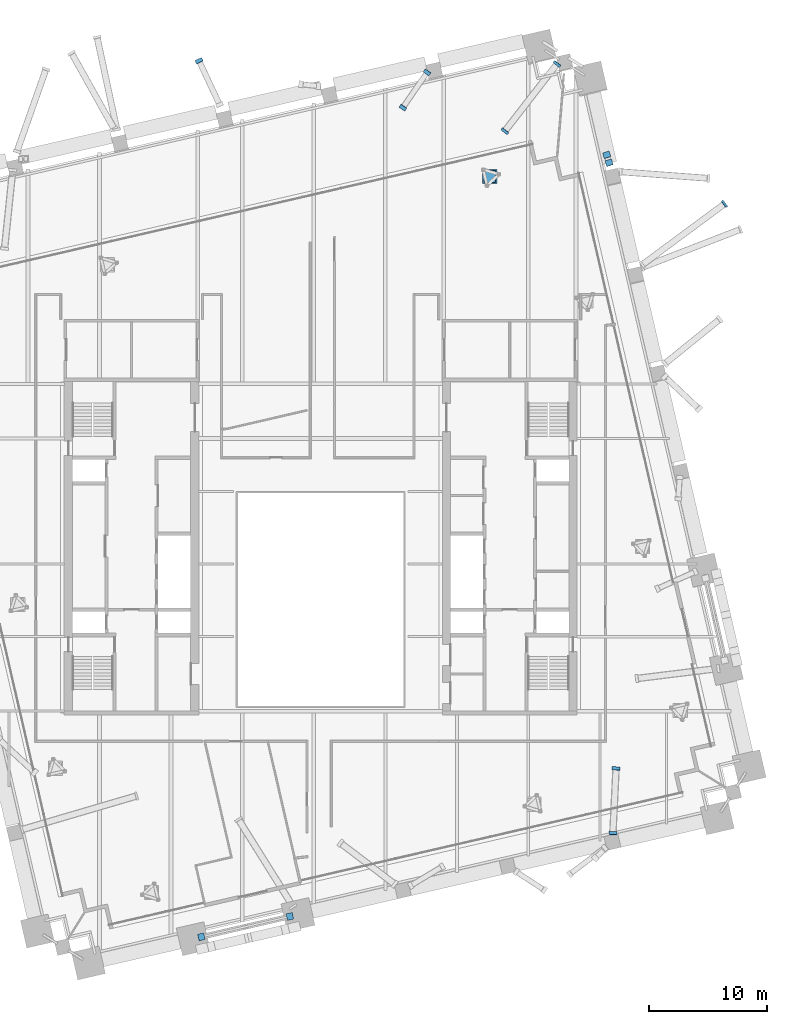
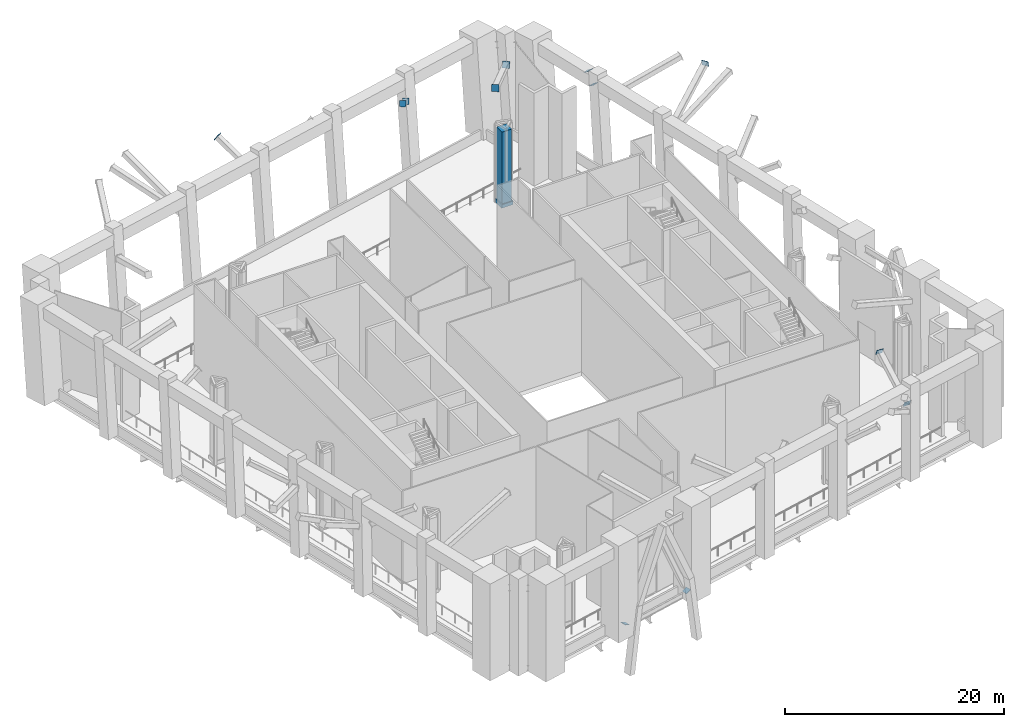
# One storey, part 22 of 25: 14 discrete accessories.
"""IFC4 building model written with IfcOpenShell, lengths in metres."""

from ifc_helpers import new_model, si_unit, direction, frame, origin, origin_2d, place, context, subcontext, project, spatial, rectangle, extrude, material, material_profile, profile_set, type_object, element, save


model = new_model("IFC4")

# Units and contexts
model_context = context("Model", 3, precision=1e-05, world=origin(), true_north=direction((0.0, 1.0)))
body_context = subcontext(model_context, "Body", "Model", "MODEL_VIEW")
ifc_project = project(units=[si_unit("LENGTHUNIT", "METRE"), si_unit("AREAUNIT", "SQUARE_METRE"), si_unit("VOLUMEUNIT", "CUBIC_METRE"), si_unit("PLANEANGLEUNIT", "RADIAN"), si_unit("MASSUNIT", "GRAM", prefix="KILO")], contexts=[model_context])

# Site, building, storey
site_placement = place(None, origin())
site = spatial("IfcSite", under=ifc_project, at=site_placement, CompositionType="ELEMENT")
building_placement = place(site_placement, origin())
building = spatial("IfcBuilding", under=site, at=building_placement, Name="Ogive Exchange Tower", CompositionType="ELEMENT")
storey_placement = place(building_placement, frame((0.0, 0.0, 226.199951171875)))
storey = spatial("IfcBuildingStorey", under=building, at=storey_placement, Name="L50", CompositionType="ELEMENT", Elevation=226.199951171875)

# Discrete accessories
ifc_material = material(Name="Steel ASTM A572 Gr50", Category="steel")
ifc_material_profile_1 = material_profile(ifc_material, rectangle(XDim=0.576904296875, YDim=0.576904296875, at=origin_2d()), Name="PL 577 x 577 x 25")
ifc_profile_set_1 = profile_set([ifc_material_profile_1], Name="Steel ASTM A572 Gr50")
discrete_accessory_type_1 = type_object("IfcDiscreteAccessoryType", Name="Gusset plate 577 x 577 x 25", PredefinedType="USERDEFINED", material=ifc_profile_set_1)
for number, where, z_axis, x_axis, name in (
    (1, (-10.10107421875, -21.544921875, 0.66796875), (0.389692556427, 0.097423139107, 0.915777507603), (-0.242535625036, 0.970142500145, 0.0), "Belt truss diagonal 2a end plate A"),
    (2, (-2.597412109375, -19.8125, 0.66796875), (-0.390044406646, -0.087759991495, 0.916604355618), (0.219512195122, -0.975609756098, 0.0), "Belt truss diagonal 2b end plate A"),
):
    element("IfcDiscreteAccessory", number, at=place(storey_placement, frame(where, z_axis=z_axis, x_axis=x_axis)), inside=storey, type_object=discrete_accessory_type_1, Name=name, ObjectType="GUSSET PLATE", PredefinedType="USERDEFINED", context=body_context, shape_type="SweptSolid", body=[
        extrude(rectangle(XDim=0.576904296875, YDim=0.576904296875, at=origin_2d()), origin(), (0.0, 0.0, 1.0), 0.025146484375),
    ])
for number, where, z_axis, x_axis, name in (
    (3, (24.40478515625, 43.951171875, 9.0341796875), (-0.146601582771, 0.488671942571, 0.860062618925), (-0.957826285221, -0.287347885566, 0.0), "Block-change strut 17 end plate A"),
    (4, (24.201171875, 44.6142578125, 10.212646484375), (-0.156144011672, 0.487950036474, 0.858792064195), (-0.952424147199, -0.304775727104, 0.0), "Block-change strut 17 end plate B"),
    (5, (9.008544921875, 51.611328125, 7.898681640625), (-0.481457688777, -0.69762236537, 0.530586024366), (0.823025925643, -0.568003807838, 0.0), "Block-change strut 19 end plate A"),
    (6, (6.962890625, 48.62548828125, 10.142578125), (-0.478168266369, -0.702614595482, 0.526960946611), (0.826712879961, -0.562624043307, 0.0), "Block-change strut 19 end plate B"),
):
    element("IfcDiscreteAccessory", number, at=place(storey_placement, frame(where, z_axis=z_axis, x_axis=x_axis)), inside=storey, type_object=discrete_accessory_type_1, Name=name, ObjectType="GUSSET PLATE", PredefinedType="USERDEFINED", context=body_context, shape_type="SweptSolid", body=[
        extrude(rectangle(XDim=0.576904296875, YDim=0.576904296875, at=origin_2d()), origin(), (0.0, 0.0, 1.0), 0.02490234375),
    ])
ifc_material_profile_2 = material_profile(ifc_material, rectangle(XDim=0.6279296875, YDim=0.6279296875, at=origin_2d()), Name="PL 628 x 628 x 25")
ifc_profile_set_2 = profile_set([ifc_material_profile_2], Name="Steel ASTM A572 Gr50")
discrete_accessory_type_2 = type_object("IfcDiscreteAccessoryType", Name="Gusset plate 628 x 628 x 25", PredefinedType="USERDEFINED", material=ifc_profile_set_2)
discrete_accessory_1_placement = place(storey_placement, frame((-10.2861328125, 52.570068359375, 10.117919921875), z_axis=(-0.371817113019, 0.782772869514, 0.499017704315), x_axis=(-0.903277504354, -0.429056814568, 0.0)))
element("IfcDiscreteAccessory", 7, at=discrete_accessory_1_placement, inside=storey, type_object=discrete_accessory_type_2, Name="Block-change strut 21 end plate B", ObjectType="GUSSET PLATE", PredefinedType="USERDEFINED", context=body_context, shape_type="SweptSolid", body=[
    extrude(rectangle(XDim=0.6279296875, YDim=0.6279296875, at=origin_2d()), origin(), (0.0, 0.0, 1.0), 0.02490234375),
])
ifc_material_profile_3 = material_profile(ifc_material, rectangle(XDim=0.678955078125, YDim=0.678955078125, at=origin_2d()), Name="PL 679 x 679 x 25")
ifc_profile_set_3 = profile_set([ifc_material_profile_3], Name="Steel ASTM A572 Gr50")
discrete_accessory_type_3 = type_object("IfcDiscreteAccessoryType", Name="Gusset plate 679 x 679 x 25", PredefinedType="USERDEFINED", material=ifc_profile_set_3)
discrete_accessory_2_placement = place(storey_placement, frame((24.720947265625, -12.77392578125, 7.69384765625), z_axis=(0.039325454831, 0.914316824814, 0.403085912015), x_axis=(-0.999076318935, 0.04297102447, 0.0)))
element("IfcDiscreteAccessory", 8, at=discrete_accessory_2_placement, inside=storey, type_object=discrete_accessory_type_3, Name="Block-change strut 9 end plate A", ObjectType="GUSSET PLATE", PredefinedType="USERDEFINED", context=body_context, shape_type="SweptSolid", body=[
    extrude(rectangle(XDim=0.678955078125, YDim=0.678955078125, at=origin_2d()), origin(), (0.0, 0.0, 1.0), 0.02490234375),
])
discrete_accessory_3_placement = place(storey_placement, frame((24.989501953125, -7.305419921875, 10.083740234375), z_axis=(0.048697705438, 0.915516862228, 0.399321184589), x_axis=(-0.998588327595, 0.053116400404, 0.0)))
element("IfcDiscreteAccessory", 9, at=discrete_accessory_3_placement, inside=storey, type_object=discrete_accessory_type_3, Name="Block-change strut 9 end plate B", ObjectType="GUSSET PLATE", PredefinedType="USERDEFINED", context=body_context, shape_type="SweptSolid", body=[
    extrude(rectangle(XDim=0.678955078125, YDim=0.678955078125, at=origin_2d()), origin(), (0.0, 0.0, 1.0), 0.025146484375),
])
for number, where, z_axis, x_axis, name in (
    (10, (20.0, 52.32421875, 7.684814453125), (-0.588348405415, -0.745241313525, 0.313785816221), (0.784882765533, -0.619644288579, 0.0), "Block-change strut 18 end plate A"),
    (11, (15.588623046875, 46.635986328125, 10.076904296875), (-0.575808463143, -0.751478841729, 0.322062360741), (0.793772252569, -0.608215102618, 0.0), "Block-change strut 18 end plate B"),
    (12, (34.150146484375, 40.46240234375, 10.073974609375), (0.772766287531, 0.577129252713, 0.264109997004), (-0.59837605097, 0.801215390282, 0.0), "Block-change strut 32 end plate B"),
):
    element("IfcDiscreteAccessory", number, at=place(storey_placement, frame(where, z_axis=z_axis, x_axis=x_axis)), inside=storey, type_object=discrete_accessory_type_3, Name=name, ObjectType="GUSSET PLATE", PredefinedType="USERDEFINED", context=body_context, shape_type="SweptSolid", body=[
        extrude(rectangle(XDim=0.678955078125, YDim=0.678955078125, at=origin_2d()), origin(), (0.0, 0.0, 1.0), 0.02490234375),
    ])
discrete_accessory_4_placement = place(storey_placement, frame((14.302001953125, 42.793701171875, 0.0), z_axis=(0.0, 0.0, 1.0), x_axis=(1.0, 0.0, 0.0)))
element("IfcDiscreteAccessory", 13, at=discrete_accessory_4_placement, inside=storey, Name="Turbine mount 6", ObjectType="TURBINE MOUNT", PredefinedType="USERDEFINED", context=body_context, shape_type="SweptSolid", body=[
    extrude(rectangle(XDim=1.199951171875, YDim=1.199951171875, at=origin_2d()), origin(), (0.0, 0.0, 1.0), 0.39990234375),
])
discrete_accessory_5_placement = place(storey_placement, frame((14.302001953125, 42.793701171875, 0.400146484375), z_axis=(0.0, 0.0, 1.0), x_axis=(1.0, 0.0, 0.0)))
element("IfcDiscreteAccessory", 14, at=discrete_accessory_5_placement, inside=storey, Name="WIND TURBINE 6", ObjectType="WIND TURBINE", PredefinedType="USERDEFINED", context=body_context, shape_type="SweptSolid", body=[
    extrude(rectangle(XDim=1.0, YDim=1.0, at=origin_2d()), origin(), (0.0, 0.0, 1.0), 8.0),
])

save(model, "model.ifc")
